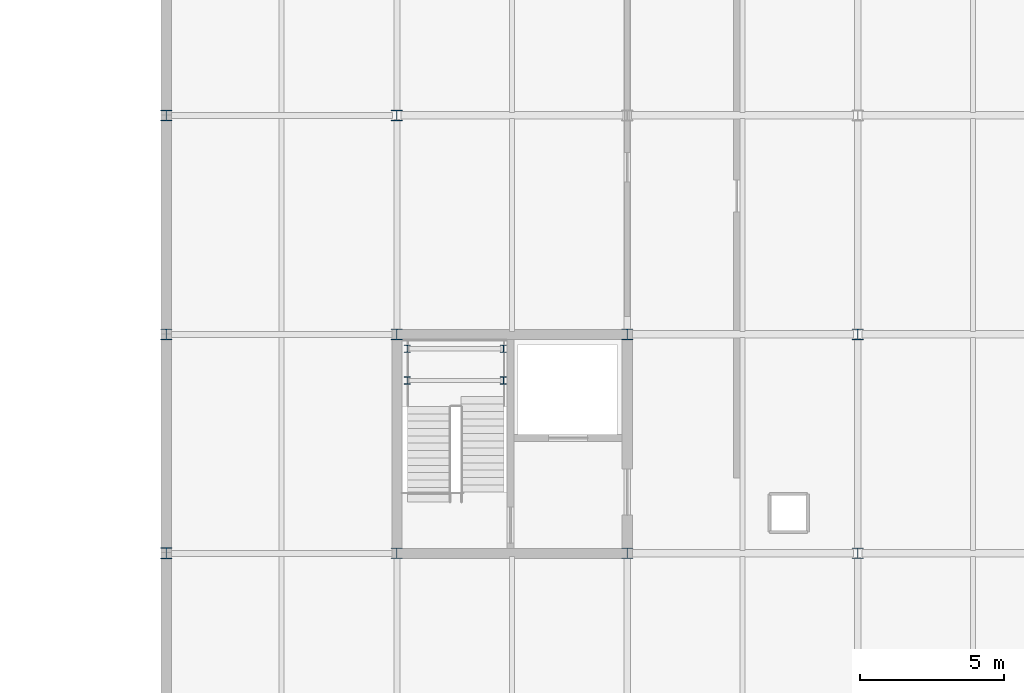
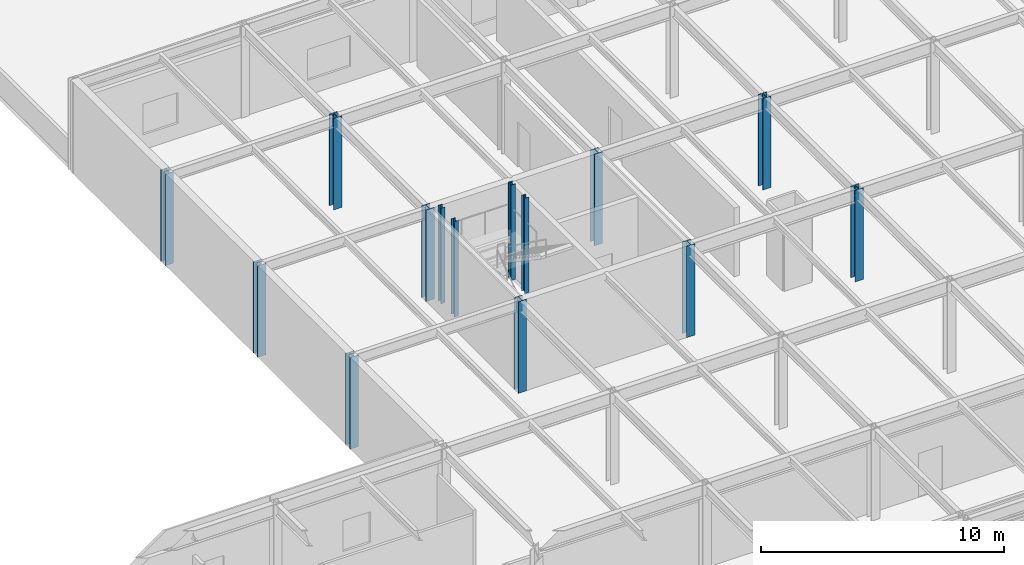
# One storey, part 15 of 104: 14 columns.
"""IFC4 building model written with IfcOpenShell, lengths in metres."""

from ifc_helpers import new_model, si_unit, direction, frame, origin, origin_2d, place, context, subcontext, project, spatial, i_section, extrude, material, material_profile, profile_set, type_object, element, save


model = new_model("IFC4")

# Units and contexts
model_context = context("Model", 3, precision=1e-05, world=origin(), true_north=direction((0.0, 1.0)))
body_context = subcontext(model_context, "Body", "Model", "MODEL_VIEW")
ifc_project = project(units=[si_unit("LENGTHUNIT", "METRE"), si_unit("AREAUNIT", "SQUARE_METRE"), si_unit("VOLUMEUNIT", "CUBIC_METRE"), si_unit("PLANEANGLEUNIT", "RADIAN"), si_unit("MASSUNIT", "GRAM", prefix="KILO")], contexts=[model_context])

# Site, building, storey
site_placement = place(None, origin())
site = spatial("IfcSite", under=ifc_project, at=site_placement, CompositionType="ELEMENT")
building_placement = place(site_placement, origin())
building = spatial("IfcBuilding", under=site, at=building_placement, Name="Zulena Civic Courthouse", CompositionType="ELEMENT")
storey_placement = place(building_placement, frame((0.0, 0.0, 10.800048828125)))
storey = spatial("IfcBuildingStorey", under=building, at=storey_placement, Name="L02", CompositionType="ELEMENT", Elevation=10.800048828125)

# Columns
ifc_material = material(Name="Steel ASTM A992 Grade 50", Category="steel")
ifc_material_profile_1 = material_profile(ifc_material, i_section(OverallWidth=0.2041015625, OverallDepth=0.257080078125, WebThickness=0.0087890625, FlangeThickness=0.015625, FilletRadius=0.0126953125, at=origin_2d()), Name="W10X45")
ifc_profile_set_1 = profile_set([ifc_material_profile_1], Name="Steel ASTM A992 Grade 50")
column_type_1 = type_object("IfcColumnType", Name="Col_W10X45", PredefinedType="COLUMN", material=ifc_profile_set_1)
for number, where, z_axis, x_axis, name in (
    (1, (76.360107421875, 74.39990234375, 0.0), (0.0, 0.0, 1.0), (1.0, 0.0, 0.0), "col:lnd:K5B:L02:0:0"),
    (2, (79.699951171875, 74.39990234375, 0.0), (0.0, 0.0, 1.0), (1.0, 0.0, 0.0), "col:lnd:K5B:L02:0:1"),
    (3, (76.360107421875, 75.5, 0.0), (0.0, 0.0, 1.0), (1.0, 0.0, 0.0), "col:lnd:K5B:L02:1:0"),
    (4, (79.699951171875, 75.5, 0.0), (0.0, 0.0, 1.0), (1.0, 0.0, 0.0), "col:lnd:K5B:L02:1:1"),
):
    element("IfcColumn", number, at=place(storey_placement, frame(where, z_axis=z_axis, x_axis=x_axis)), inside=storey, type_object=column_type_1, Name=name, PredefinedType="COLUMN", context=body_context, shape_type="SweptSolid", body=[
        extrude(i_section(OverallWidth=0.2041015625, OverallDepth=0.257080078125, WebThickness=0.0087890625, FlangeThickness=0.015625, FilletRadius=0.0126953125, at=origin_2d()), origin(), (0.0, 0.0, 1.0), 4.794921875),
    ])
ifc_material_profile_2 = material_profile(ifc_material, i_section(OverallWidth=0.39404296875, OverallDepth=0.3759765625, WebThickness=0.017333984375, FlangeThickness=0.027587890625, FilletRadius=0.01513671875, at=origin_2d()), Name="W14X145")
ifc_profile_set_2 = profile_set([ifc_material_profile_2], Name="Steel ASTM A992 Grade 50")
column_type_2 = type_object("IfcColumnType", Name="Col_W14X145", PredefinedType="COLUMN", material=ifc_profile_set_2)
for number, where, z_axis, x_axis, name in (
    (5, (76.0, 68.39990234375, 0.0), (0.0, 0.0, 1.0), (1.0, 0.0, 0.0), "col:V5:L02:76.0:68.4"),
    (6, (76.0, 76.0, 0.0), (0.0, 0.0, 1.0), (1.0, 0.0, 0.0), "col:V5:L02:76.0:76.0"),
    (7, (76.0, 83.60009765625, 0.0), (0.0, 0.0, 1.0), (1.0, 0.0, 0.0), "col:V5:L02:76.0:83.6"),
    (8, (84.0, 68.39990234375, 0.0), (0.0, 0.0, 1.0), (1.0, 0.0, 0.0), "col:V5:L02:84.0:68.4"),
    (9, (84.0, 76.0, 0.0), (0.0, 0.0, 1.0), (1.0, 0.0, 0.0), "col:V5:L02:84.0:76.0"),
    (10, (92.0, 68.39990234375, 0.0), (0.0, 0.0, 1.0), (1.0, 0.0, 0.0), "col:V5:L02:92.0:68.4"),
    (11, (92.0, 76.0, 0.0), (0.0, 0.0, 1.0), (1.0, 0.0, 0.0), "col:V5:L02:92.0:76.0"),
):
    element("IfcColumn", number, at=place(storey_placement, frame(where, z_axis=z_axis, x_axis=x_axis)), inside=storey, type_object=column_type_2, Name=name, PredefinedType="COLUMN", context=body_context, shape_type="SweptSolid", body=[
        extrude(i_section(OverallWidth=0.39404296875, OverallDepth=0.3759765625, WebThickness=0.017333984375, FlangeThickness=0.027587890625, FilletRadius=0.01513671875, at=origin_2d()), origin(), (0.0, 0.0, 1.0), 4.58984375),
    ])
ifc_material_profile_3 = material_profile(ifc_material, i_section(OverallWidth=0.39892578125, OverallDepth=0.386962890625, WebThickness=0.02099609375, FlangeThickness=0.033203125, FilletRadius=0.01513671875, at=origin_2d()), Name="W14X176")
ifc_profile_set_3 = profile_set([ifc_material_profile_3], Name="Steel ASTM A992 Grade 50")
column_type_3 = type_object("IfcColumnType", Name="Col_W14X176", PredefinedType="COLUMN", material=ifc_profile_set_3)
for number, where, z_axis, x_axis, name in (
    (12, (68.0, 68.39990234375, 0.0), (0.0, 0.0, 1.0), (1.0, 0.0, 0.0), "col:V5:L02:68.0:68.4"),
    (13, (68.0, 76.0, 0.0), (0.0, 0.0, 1.0), (1.0, 0.0, 0.0), "col:V5:L02:68.0:76.0"),
    (14, (68.0, 83.60009765625, 0.0), (0.0, 0.0, 1.0), (1.0, 0.0, 0.0), "col:V5:L02:68.0:83.6"),
):
    element("IfcColumn", number, at=place(storey_placement, frame(where, z_axis=z_axis, x_axis=x_axis)), inside=storey, type_object=column_type_3, Name=name, PredefinedType="COLUMN", context=body_context, shape_type="SweptSolid", body=[
        extrude(i_section(OverallWidth=0.39892578125, OverallDepth=0.386962890625, WebThickness=0.02099609375, FlangeThickness=0.033203125, FilletRadius=0.01513671875, at=origin_2d()), origin(), (0.0, 0.0, 1.0), 4.58984375),
    ])

save(model, "model.ifc")
